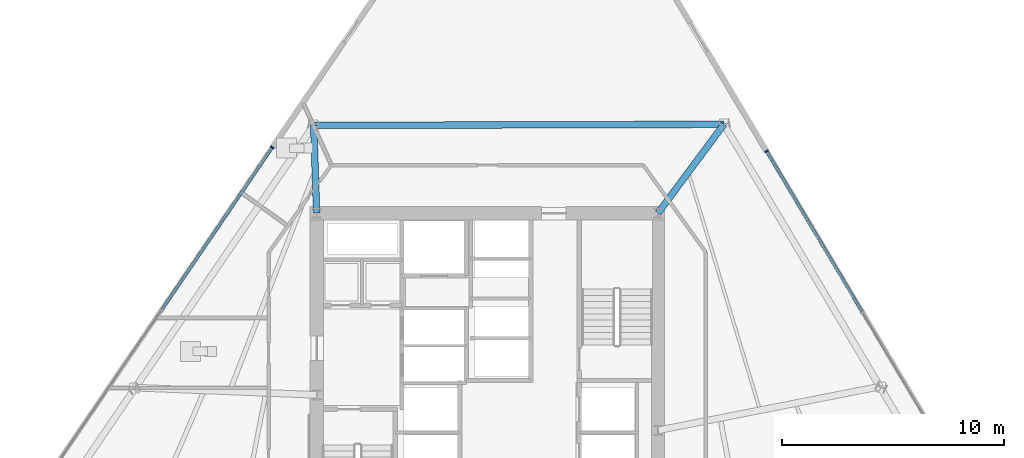
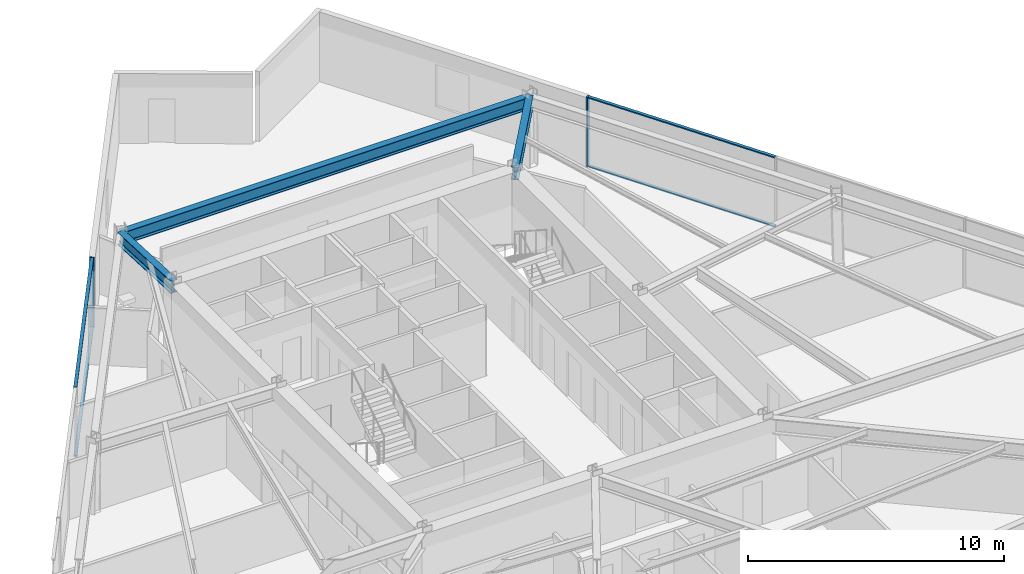
# One storey, part 7 of 18: 6 members, 3 beams, 2 elements without a shape of their own.
"""IFC4 building model written with IfcOpenShell, lengths in metres."""

from ifc_helpers import new_model, si_unit, direction, frame, origin, origin_2d, place, context, subcontext, project, spatial, rectangle, i_section, extrude, material, material_profile, profile_set, type_object, element, aggregate, save


model = new_model("IFC4")

# Units and contexts
model_context = context("Model", 3, precision=1e-05, world=origin(), true_north=direction((0.0, 1.0)))
body_context = subcontext(model_context, "Body", "Model", "MODEL_VIEW")
ifc_project = project(units=[si_unit("LENGTHUNIT", "METRE"), si_unit("AREAUNIT", "SQUARE_METRE"), si_unit("VOLUMEUNIT", "CUBIC_METRE"), si_unit("PLANEANGLEUNIT", "RADIAN"), si_unit("MASSUNIT", "GRAM", prefix="KILO")], contexts=[model_context])

# Site, building, storey
site_placement = place(None, origin())
site = spatial("IfcSite", under=ifc_project, at=site_placement, CompositionType="ELEMENT")
building_placement = place(site_placement, origin())
building = spatial("IfcBuilding", under=site, at=building_placement, Name="Savorim Split Tower", CompositionType="ELEMENT")
storey_placement = place(building_placement, frame((0.0, 0.0, 40.800048828125)))
storey = spatial("IfcBuildingStorey", under=building, at=storey_placement, Name="L10", CompositionType="ELEMENT", Elevation=40.800048828125)

# Beams
ifc_material_1 = material(Name="Steel S355", Category="steel")
ifc_material_profile_1 = material_profile(ifc_material_1, i_section(OverallWidth=0.300048828125, OverallDepth=0.60009765625, WebThickness=0.015380859375, FlangeThickness=0.030029296875, FilletRadius=0.027099609375, at=origin_2d()), Name="HEB 600")
ifc_profile_set_1 = profile_set([ifc_material_profile_1], Name="Steel S355")
beam_type_1 = type_object("IfcBeamType", Name="BM-PRI-HEB600", PredefinedType="BEAM", material=ifc_profile_set_1)
beam_1_placement = place(storey_placement, frame((10.673583984375, 14.20458984375, 3.050048828125), z_axis=(-0.596163582149, -0.802862991624, 0.0), x_axis=(0.802862991624, -0.596163582149, 0.0)))
element("IfcBeam", 1, at=beam_1_placement, inside=storey, type_object=beam_type_1, Name="L10 Primary Floor Girder RG-07", PredefinedType="BEAM", context=body_context, shape_type="SweptSolid", body=[
    extrude(i_section(OverallWidth=0.300048828125, OverallDepth=0.60009765625, WebThickness=0.015380859375, FlangeThickness=0.030029296875, FilletRadius=0.027099609375, at=origin_2d()), origin(), (0.0, 0.0, 1.0), 4.988037109375),
])
beam_2_placement = place(storey_placement, frame((-7.83349609375, 14.15576171875, 3.050048828125), z_axis=(0.033739959457, -0.999430645486, 0.0), x_axis=(0.999430645486, 0.033739959457, 0.0)))
element("IfcBeam", 2, at=beam_2_placement, inside=storey, type_object=beam_type_1, Name="L10 Primary Floor Girder RG-08", PredefinedType="BEAM", context=body_context, shape_type="SweptSolid", body=[
    extrude(i_section(OverallWidth=0.300048828125, OverallDepth=0.60009765625, WebThickness=0.015380859375, FlangeThickness=0.030029296875, FilletRadius=0.027099609375, at=origin_2d()), origin(), (0.0, 0.0, 1.0), 3.9580078125),
])
ifc_material_profile_2 = material_profile(ifc_material_1, i_section(OverallWidth=0.300048828125, OverallDepth=0.590087890625, WebThickness=0.012939453125, FlangeThickness=0.02490234375, FilletRadius=0.027099609375, at=origin_2d()), Name="HEA 600")
ifc_profile_set_2 = profile_set([ifc_material_profile_2], Name="Steel S355")
beam_type_2 = type_object("IfcBeamType", Name="BM-SPN-HEA600", PredefinedType="SPANDREL", material=ifc_profile_set_2)
beam_3_placement = place(storey_placement, frame((10.673583984375, 14.20458984375, 3.054931640625), z_axis=(-0.999996519577, -0.002638339211, 0.0), x_axis=(0.002638339211, -0.999996519577, 0.0)))
element("IfcBeam", 3, at=beam_3_placement, inside=storey, type_object=beam_type_2, Name="L10 Perimeter Spandrel Beam 7", PredefinedType="SPANDREL", context=body_context, shape_type="SweptSolid", body=[
    extrude(i_section(OverallWidth=0.300048828125, OverallDepth=0.590087890625, WebThickness=0.012939453125, FlangeThickness=0.02490234375, FilletRadius=0.027099609375, at=origin_2d()), origin(), (0.0, 0.0, 1.0), 18.507080078125),
])

# Curtain wall, member
ifc_material_2 = material(Name="Dark Ceramic-Fritted Insulated Glass", Category="glass")
curtain_wall_type = type_object("IfcCurtainWallType", Name="CW-TWR-FRIT-A", PredefinedType="NOTDEFINED", material=ifc_material_2)
curtain_wall_1_placement = place(storey_placement, origin())
curtain_wall_1 = element("IfcCurtainWall", 4, at=curtain_wall_1_placement, inside=storey, type_object=curtain_wall_type, Name="L10 Curtain Wall CW-L10-EAST", PredefinedType="NOTDEFINED")
ifc_material_3 = material(Name="Charcoal Anodised Aluminium", Category="aluminium")
ifc_material_profile_3 = material_profile(ifc_material_3, rectangle(XDim=0.179931640625, YDim=0.06494140625, at=origin_2d()), Name="ALU-M 180x65")
ifc_profile_set_3 = profile_set([ifc_material_profile_3], Name="Charcoal Anodised Aluminium")
member_type_1 = type_object("IfcMemberType", Name="CWM-180x65", PredefinedType="MULLION", material=ifc_profile_set_3)
member_1_placement = place(storey_placement, frame((12.599609375, 12.991455078125, 0.0), z_axis=(0.0, 0.0, 1.0), x_axis=(-0.859525752007, -0.511092439425, 0.0)))
member_1 = element("IfcMember", 5, at=member_1_placement, type_object=member_type_1, Name="CW-02 mullion 5", PredefinedType="MULLION", context=body_context, shape_type="SweptSolid", body=[
    extrude(rectangle(XDim=0.179931640625, YDim=0.06494140625, at=origin_2d()), origin(), (0.0, 0.0, 1.0), 3.349853515625),
])

curtain_wall_2_placement = place(storey_placement, origin())
curtain_wall_2 = element("IfcCurtainWall", 6, at=curtain_wall_2_placement, inside=storey, type_object=curtain_wall_type, Name="L10 Curtain Wall CW-L10-WEST", PredefinedType="NOTDEFINED")
member_2_placement = place(storey_placement, frame((-9.702392578125, 13.1640625, 0.0), z_axis=(0.0, 0.0, 1.0), x_axis=(0.826820923165, -0.562465253164, 0.0)))
member_2 = element("IfcMember", 7, at=member_2_placement, type_object=member_type_1, Name="CW-02 mullion 1", PredefinedType="MULLION", context=body_context, shape_type="SweptSolid", body=[
    extrude(rectangle(XDim=0.179931640625, YDim=0.06494140625, at=origin_2d()), origin(), (0.0, 0.0, 1.0), 3.349853515625),
])

# Member
ifc_material_profile_4 = material_profile(ifc_material_3, rectangle(XDim=0.139892578125, YDim=0.054931640625, at=origin_2d()), Name="ALU-T 140x55")
ifc_profile_set_4 = profile_set([ifc_material_profile_4], Name="Charcoal Anodised Aluminium")
member_type_2 = type_object("IfcMemberType", Name="CWT-140x55", PredefinedType="USERDEFINED", material=ifc_profile_set_4)
member_3_placement = place(storey_placement, frame((16.90673828125, 5.748046875, 0.02734375), z_axis=(-0.511091652485, 0.859526219938, 0.0), x_axis=(-0.859526219938, -0.511091652485, 0.0)))
member_3 = element("IfcMember", 8, at=member_3_placement, type_object=member_type_2, Name="CW-02 transom 4.1", ObjectType="TRANSOM", PredefinedType="USERDEFINED", context=body_context, shape_type="SweptSolid", body=[
    extrude(rectangle(XDim=0.139892578125, YDim=0.054931640625, at=origin_2d()), origin(), (0.0, 0.0, 1.0), 8.394775390625),
])

member_4_placement = place(storey_placement, frame((16.90673828125, 5.748046875, 3.322509765625), z_axis=(-0.511091652485, 0.859526219938, 0.0), x_axis=(-0.859526219938, -0.511091652485, 0.0)))
member_4 = element("IfcMember", 9, at=member_4_placement, type_object=member_type_2, Name="CW-02 transom 4.2", ObjectType="TRANSOM", PredefinedType="USERDEFINED", context=body_context, shape_type="SweptSolid", body=[
    extrude(rectangle(XDim=0.139892578125, YDim=0.054931640625, at=origin_2d()), origin(), (0.0, 0.0, 1.0), 8.394775390625),
])

aggregate(curtain_wall_1, [member_1, member_3, member_4])

member_5_placement = place(storey_placement, frame((-9.720458984375, 13.13720703125, 0.02734375), z_axis=(-0.562479559143, -0.82681119099, 0.0), x_axis=(0.82681119099, -0.562479559143, 0.0)))
member_5 = element("IfcMember", 10, at=member_5_placement, type_object=member_type_2, Name="CW-02 transom 1.1", ObjectType="TRANSOM", PredefinedType="USERDEFINED", context=body_context, shape_type="SweptSolid", body=[
    extrude(rectangle(XDim=0.139892578125, YDim=0.054931640625, at=origin_2d()), origin(), (0.0, 0.0, 1.0), 8.822265625),
])

member_6_placement = place(storey_placement, frame((-9.720458984375, 13.13720703125, 3.322509765625), z_axis=(-0.562479559143, -0.82681119099, 0.0), x_axis=(0.82681119099, -0.562479559143, 0.0)))
member_6 = element("IfcMember", 11, at=member_6_placement, type_object=member_type_2, Name="CW-02 transom 1.2", ObjectType="TRANSOM", PredefinedType="USERDEFINED", context=body_context, shape_type="SweptSolid", body=[
    extrude(rectangle(XDim=0.139892578125, YDim=0.054931640625, at=origin_2d()), origin(), (0.0, 0.0, 1.0), 8.822265625),
])

aggregate(curtain_wall_2, [member_2, member_5, member_6])

save(model, "model.ifc")
